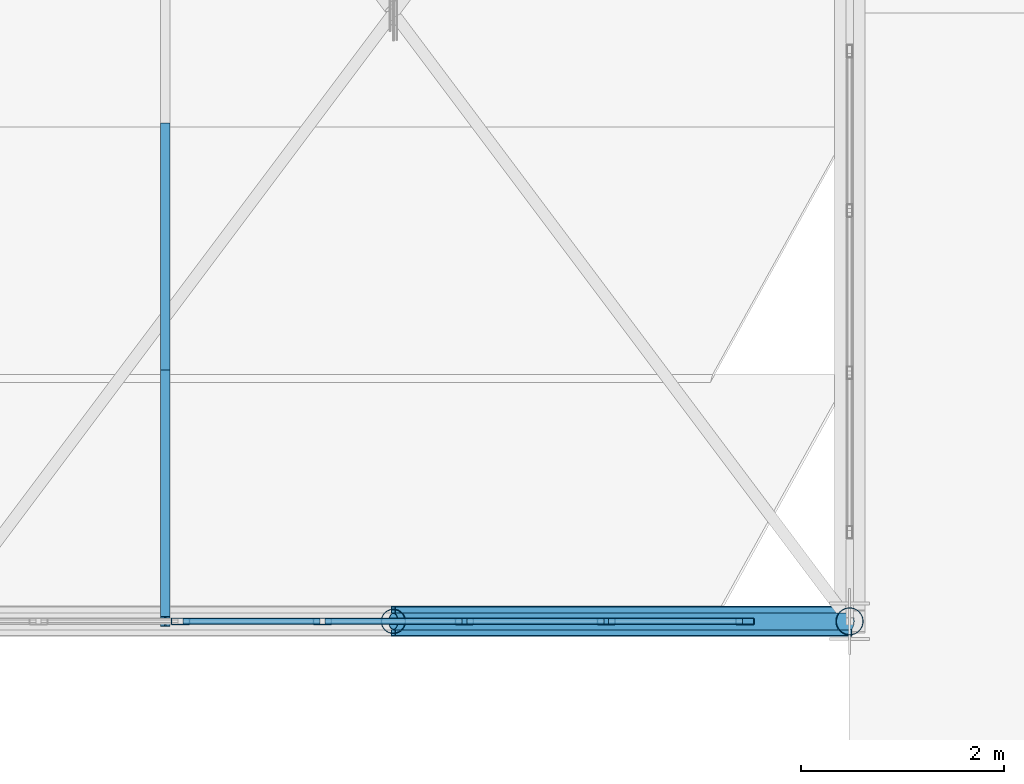
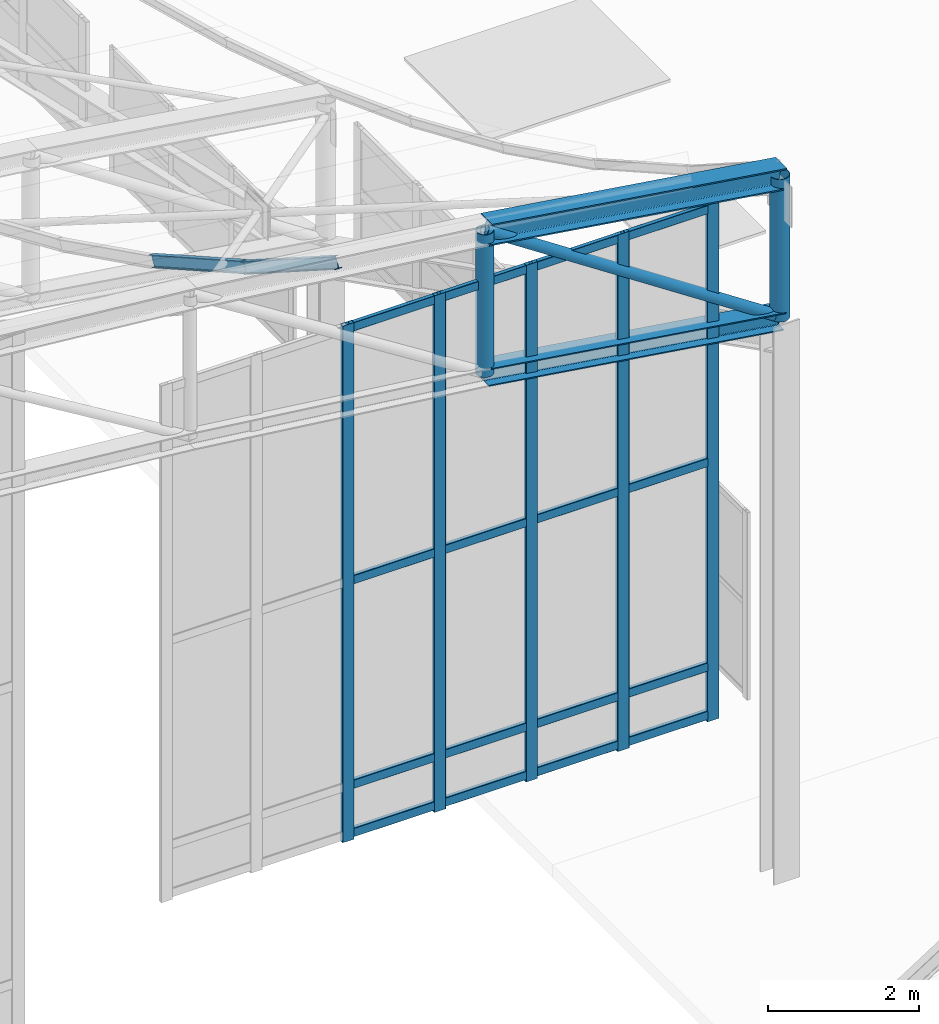
# One storey, part 68 of 262: 28 members, 1 element without a shape of its own.
"""IFC4 building model written with IfcOpenShell, lengths in metres."""

import ifcopenshell
import ifcopenshell.guid

model = None  # the IFC model being written
_history = None  # IfcOwnerHistory: only IFC2X3 demands one
_inside = {}  # id of a spatial element -> (the spatial element, [elements in it])
_under = {}  # id of a project, library or spatial element -> (it, [spatial elements below it])
_declared = {}  # id of a project -> (the project, [libraries it declares])
_typed = {}  # id of a type object -> (the type object, [elements of that type])
_made_of = {}  # id of a material, layer set ... -> (it, [elements and type objects made of it])


def new_model(schema):
    """Start an empty IFC model of exactly this schema.

    Asked for "IFC4X3", IfcOpenShell would pick the latest addendum, in which some entities
    have other attributes; the version numbers below select the first issue.
    IFC2X3 requires an IfcOwnerHistory on every rooted entity: one is made here for all.
    """
    global model, _history
    if schema == "IFC4X3":
        model = ifcopenshell.file(schema_version=(4, 3, 0, 0))
    else:
        model = ifcopenshell.file(schema=schema)
    _inside.clear()
    _under.clear()
    _declared.clear()
    _typed.clear()
    _made_of.clear()
    _history = None
    if model.schema == "IFC2X3":
        org = make("IfcOrganization", Name="unknown")
        user = make(
            "IfcPersonAndOrganization",
            ThePerson=make("IfcPerson", FamilyName="unknown"),
            TheOrganization=org,
        )
        app = make(
            "IfcApplication",
            ApplicationDeveloper=org,
            Version="unknown",
            ApplicationFullName="unknown",
            ApplicationIdentifier="unknown",
        )
        _history = make(
            "IfcOwnerHistory",
            OwningUser=user,
            OwningApplication=app,
            ChangeAction="ADDED",
            CreationDate=0,
        )
    return model


def make(cls, **values):
    """One entity of the class cls with the attributes given. An attribute that is None is left unset."""
    return model.create_entity(
        cls, **{name: value for name, value in values.items() if value is not None}
    )


def rooted(cls, **values):
    """An entity with a GlobalId (a new one), such as an element, a storey or a relation."""
    return make(cls, GlobalId=ifcopenshell.guid.new(), OwnerHistory=_history, **values)


def si_unit(unit_type, name, prefix=None):
    """IfcSIUnit, for example si_unit("LENGTHUNIT", "METRE", prefix="MILLI")."""
    return make("IfcSIUnit", UnitType=unit_type, Prefix=prefix, Name=name)


def derived_unit(unit_type, elements):
    """IfcDerivedUnit: a product of units, each with its exponent."""
    return make(
        "IfcDerivedUnit",
        Elements=[
            make("IfcDerivedUnitElement", Unit=unit, Exponent=power)
            for unit, power in elements
        ],
        UnitType=unit_type,
    )


def assignment(units):
    """IfcUnitAssignment: the units of a project."""
    return None if units is None else make("IfcUnitAssignment", Units=units)


def point(xyz):
    """IfcCartesianPoint."""
    return None if xyz is None else make("IfcCartesianPoint", Coordinates=xyz)


def direction(xyz):
    """IfcDirection."""
    return None if xyz is None else make("IfcDirection", DirectionRatios=xyz)


def frame(location, z_axis=None, x_axis=None):
    """IfcAxis2Placement3D, a coordinate frame: its origin and axes. An axis left out is left unset."""
    return make(
        "IfcAxis2Placement3D",
        Location=point(location),
        Axis=direction(z_axis),
        RefDirection=direction(x_axis),
    )


def frame_2d(location, x_axis=None):
    """IfcAxis2Placement2D, a coordinate frame in the plane: its origin and x axis."""
    return make(
        "IfcAxis2Placement2D", Location=point(location), RefDirection=direction(x_axis)
    )


def origin():
    """The frame at (0, 0, 0) with its axes left unset."""
    return frame((0.0, 0.0, 0.0))


def origin_2d():
    """The frame at (0, 0) in the plane with its x axis left unset."""
    return frame_2d((0.0, 0.0))


def place(relative_to, where):
    """IfcLocalPlacement: puts the frame where relative to a parent placement (None: the world)."""
    return make(
        "IfcLocalPlacement", PlacementRelTo=relative_to, RelativePlacement=where
    )


def context(
    kind, dimensions, precision=None, world=None, true_north=None, identifier=None
):
    """IfcGeometricRepresentationContext, for example the 3D "Model" context."""
    return make(
        "IfcGeometricRepresentationContext",
        ContextIdentifier=identifier,
        ContextType=kind,
        CoordinateSpaceDimension=dimensions,
        Precision=precision,
        WorldCoordinateSystem=world,
        TrueNorth=true_north,
    )


def subcontext(parent, identifier, kind, view, scale=None):
    """IfcGeometricRepresentationSubContext, for example "Body" below "Model"."""
    return make(
        "IfcGeometricRepresentationSubContext",
        ContextIdentifier=identifier,
        ContextType=kind,
        ParentContext=parent,
        TargetScale=scale,
        TargetView=view,
    )


def project(units=None, contexts=None):
    """IfcProject with its units and contexts."""
    return rooted(
        "IfcProject",
        Name="project",
        RepresentationContexts=contexts,
        UnitsInContext=assignment(units),
    )


def spatial(cls, under=None, at=None, **own):
    """A site, building, storey or space (cls), placed at a placement, below another one or the project."""
    s = rooted(cls, ObjectPlacement=at, **own)
    if under is not None:
        _under.setdefault(under.id(), (under, []))[1].append(s)
    return s


def profile(cls, at=None, kind="AREA", **sizes):
    """A parametric profile (cls). Its sizes go by their IFC names, for example OverallWidth=200.0."""
    return make(cls, ProfileType=kind, Position=at, **sizes)


def hollow_rectangle(**sizes):
    """IfcRectangleHollowProfileDef."""
    return profile("IfcRectangleHollowProfileDef", **sizes)


def hollow_circle(**sizes):
    """IfcCircleHollowProfileDef."""
    return profile("IfcCircleHollowProfileDef", **sizes)


def i_section(**sizes):
    """IfcIShapeProfileDef."""
    return profile("IfcIShapeProfileDef", **sizes)


def extrude(swept, where, along, depth):
    """IfcExtrudedAreaSolid: the profile swept, set in the frame where, extruded along a direction by depth."""
    return make(
        "IfcExtrudedAreaSolid",
        SweptArea=swept,
        Position=where,
        ExtrudedDirection=direction(along),
        Depth=depth,
    )


def shape(context_of_items, identifier, shape_type, items):
    """IfcShapeRepresentation: the items that make up one representation, for example the "Body"."""
    return make(
        "IfcShapeRepresentation",
        ContextOfItems=context_of_items,
        RepresentationIdentifier=identifier,
        RepresentationType=shape_type,
        Items=items,
    )


def material(Name=None, Category=None):
    """IfcMaterial."""
    return make("IfcMaterial", Name=Name, Category=Category)


def layer(
    of_material, thickness, ventilated=None, Name=None, Category=None, Priority=None
):
    """IfcMaterialLayer: one layer of a wall or slab, of a material (None: an air gap)."""
    return make(
        "IfcMaterialLayer",
        Material=of_material,
        LayerThickness=thickness,
        IsVentilated=ventilated,
        Name=Name,
        Category=Category,
        Priority=Priority,
    )


def layer_set(layers, Name=None):
    """IfcMaterialLayerSet."""
    return make("IfcMaterialLayerSet", MaterialLayers=layers, LayerSetName=Name)


def material_profile(
    of_material, cross_section, Name=None, Category=None, Priority=None
):
    """IfcMaterialProfile: a cross section and its material."""
    return make(
        "IfcMaterialProfile",
        Name=Name,
        Material=of_material,
        Profile=cross_section,
        Priority=Priority,
        Category=Category,
    )


def profile_set(profiles, Name=None, composite=None):
    """IfcMaterialProfileSet."""
    return make(
        "IfcMaterialProfileSet",
        Name=Name,
        MaterialProfiles=profiles,
        CompositeProfile=composite,
    )


def made_of(thing, what):
    """Note that an element or type object is made of a material, layer set ...; save() writes the relation."""
    if what is not None:
        _made_of.setdefault(what.id(), (what, []))[1].append(thing)
    return thing


def type_object(cls, material=None, **own):
    """A type object (cls), such as IfcWallType, which elements share."""
    return made_of(rooted(cls, **own), material)


def element(
    cls,
    number,
    at=None,
    inside=None,
    cuts=None,
    type_object=None,
    material=None,
    context=None,
    identifier="Body",
    shape_type=None,
    held_by="IfcProductDefinitionShape",
    body=None,
    shapes=None,
    **own,
):
    """One element of the class cls, such as IfcWall. Its Tag is "e" and its number.

    at: its placement. inside: the storey or other place that contains it. cuts: it is an
    opening in that element (IfcRelVoidsElement). A single representation is given by context,
    identifier, shape_type and body (its items); several are given by shapes. held_by: the class
    of the entity that holds the representations. save() writes the other relations.
    """
    e = rooted(cls, Tag="e%d" % number, ObjectPlacement=at, **own)
    if body is not None:
        shapes = [shape(context, identifier, shape_type, body)]
    if shapes is not None:
        e.Representation = make(held_by, Representations=shapes)
    if inside is not None:
        _inside.setdefault(inside.id(), (inside, []))[1].append(e)
    if cuts is not None:
        rooted(
            "IfcRelVoidsElement", RelatingBuildingElement=cuts, RelatedOpeningElement=e
        )
    if type_object is not None:
        _typed.setdefault(type_object.id(), (type_object, []))[1].append(e)
    return made_of(e, material)


def aggregate(whole, parts):
    """IfcRelAggregates: a whole, such as a stair, and the parts it consists of."""
    return rooted("IfcRelAggregates", RelatingObject=whole, RelatedObjects=parts)


def save(model, path):
    """Write the relations noted so far, then the file.

    IfcRelAggregates (storeys below a building ...), IfcRelContainedInSpatialStructure (elements
    in a storey), IfcRelDefinesByType, IfcRelAssociatesMaterial and IfcRelDeclares: one each for
    every whole, place, type object, material and project.
    """
    for whole, parts in _under.values():
        aggregate(whole, parts)
    for where, things in _inside.values():
        rooted(
            "IfcRelContainedInSpatialStructure",
            RelatedElements=things,
            RelatingStructure=where,
        )
    for kind, things in _typed.values():
        rooted("IfcRelDefinesByType", RelatedObjects=things, RelatingType=kind)
    for what, things in _made_of.values():
        rooted("IfcRelAssociatesMaterial", RelatedObjects=things, RelatingMaterial=what)
    for by, libraries in _declared.values():
        rooted("IfcRelDeclares", RelatingContext=by, RelatedDefinitions=libraries)
    model.write(path)


model = new_model("IFC4")

# Units and contexts
model_context = context("Model", 3, precision=1e-05, world=origin(), true_north=direction((0.0, 1.0)))
body_context = subcontext(model_context, "Body", "Model", "MODEL_VIEW")
ifc_project = project(units=[si_unit("LENGTHUNIT", "METRE"), si_unit("AREAUNIT", "SQUARE_METRE"), si_unit("VOLUMEUNIT", "CUBIC_METRE"), si_unit("PLANEANGLEUNIT", "RADIAN"), si_unit("MASSUNIT", "GRAM", prefix="KILO"), derived_unit("THERMALTRANSMITTANCEUNIT", [(si_unit("POWERUNIT", "WATT"), 1), (si_unit("LENGTHUNIT", "METRE"), -2), (si_unit("THERMODYNAMICTEMPERATUREUNIT", "KELVIN"), -1)])], contexts=[model_context])

# Site, building, storey
site_placement = place(None, origin())
site = spatial("IfcSite", under=ifc_project, at=site_placement, CompositionType="ELEMENT")
building_placement = place(site_placement, origin())
building = spatial("IfcBuilding", under=site, at=building_placement, Name="Almenara Railside Exhibition Hall", CompositionType="ELEMENT")
storey_placement = place(building_placement, frame((0.0, 0.0, 21.699951171875)))
storey = spatial("IfcBuildingStorey", under=building, at=storey_placement, Name="RF", CompositionType="ELEMENT", Elevation=21.699951171875)

# Members
ifc_material_1 = material(Name="Structural steel S355JR", Category="steel")
ifc_material_profile_1 = material_profile(ifc_material_1, i_section(OverallWidth=0.280029296875, OverallDepth=0.280029296875, WebThickness=0.010498046875, FlangeThickness=0.01806640625, FilletRadius=0.02392578125, at=origin_2d()), Name="HEB 280")
ifc_profile_set_1 = profile_set([ifc_material_profile_1], Name="Structural steel S355JR")
member_type_1 = type_object("IfcMemberType", Name="Arched Gable Bottom Chord HEB 280 S355JR", PredefinedType="CHORD", material=ifc_profile_set_1)
member_1_placement = place(storey_placement, frame((61.5, 48.0, 7.272216796875), z_axis=(0.9890290442, 0.0, -0.147721189165), x_axis=(0.0, 1.0, 0.0)))
element("IfcMember", 1, at=member_1_placement, inside=storey, type_object=member_type_1, Name="MEM-BC-V1-00-11", PredefinedType="CHORD", context=body_context, shape_type="SweptSolid", body=[
    extrude(i_section(OverallWidth=0.280029296875, OverallDepth=0.280029296875, WebThickness=0.010498046875, FlangeThickness=0.01806640625, FilletRadius=0.02392578125, at=origin_2d()), origin(), (0.0, 0.0, 1.0), 4.5498046875),
])
ifc_material_profile_2 = material_profile(ifc_material_1, i_section(OverallWidth=0.300048828125, OverallDepth=0.340087890625, WebThickness=0.011962890625, FlangeThickness=0.021484375, FilletRadius=0.027099609375, at=origin_2d()), Name="HEB 340")
ifc_profile_set_2 = profile_set([ifc_material_profile_2], Name="Structural steel S355JR")
member_type_2 = type_object("IfcMemberType", Name="Arched Gable Top Chord HEB 340 S355JR", PredefinedType="CHORD", material=ifc_profile_set_2)
member_2_placement = place(storey_placement, frame((61.5, 48.0, 9.572265625), z_axis=(0.9890290442, 0.0, -0.147721189165), x_axis=(0.0, 1.0, 0.0)))
element("IfcMember", 2, at=member_2_placement, inside=storey, type_object=member_type_2, Name="MEM-TC-V1-00-11", PredefinedType="CHORD", context=body_context, shape_type="SweptSolid", body=[
    extrude(i_section(OverallWidth=0.300048828125, OverallDepth=0.340087890625, WebThickness=0.011962890625, FlangeThickness=0.021484375, FilletRadius=0.027099609375, at=origin_2d()), origin(), (0.0, 0.0, 1.0), 4.5498046875),
])

# Curtain wall, members
ifc_material_2 = material(Name="Bronze-anodised aluminium and low-E double glazing", Category="aluminium")
ifc_layer = layer(ifc_material_2, 0.179931640625, Name="Bronze-anodised aluminium and low-E double glazing")
ifc_layer_set = layer_set([ifc_layer], Name="Bronze-anodised aluminium and low-E double glazing")
curtain_wall_type = type_object("IfcCurtainWallType", Name="Scroll Gable Tall Curtain Wall 3800x5400", PredefinedType="NOTDEFINED", material=ifc_layer_set)
curtain_wall_placement = place(storey_placement, origin())
curtain_wall = element("IfcCurtainWall", 3, at=curtain_wall_placement, inside=storey, type_object=curtain_wall_type, Name="Curtain wall CW-G1-197", PredefinedType="NOTDEFINED")
ifc_material_3 = material(Name="Bronze-anodised aluminium", Category="aluminium")
ifc_material_profile_3 = material_profile(ifc_material_3, hollow_rectangle(XDim=0.06494140625, YDim=0.179931640625, WallThickness=0.00390625, InnerFilletRadius=0.00390625, OuterFilletRadius=0.008056640625, at=origin_2d()), Name="ALU-MUL 65x180x4")
ifc_profile_set_3 = profile_set([ifc_material_profile_3], Name="Bronze-anodised aluminium")
member_type_3 = type_object("IfcMemberType", Name="Curtain Wall Mullion 65x180x4", PredefinedType="MULLION", material=ifc_profile_set_3)
member_3_placement = place(storey_placement, frame((59.39990234375, 48.0, 0.465087890625), z_axis=(0.0, 0.0, 1.0), x_axis=(0.0, 1.0, 0.0)))
member_3 = element("IfcMember", 4, at=member_3_placement, type_object=member_type_3, Name="CW-G1-197 mullion 3", PredefinedType="MULLION", context=body_context, shape_type="SweptSolid", body=[
    extrude(hollow_rectangle(XDim=0.06494140625, YDim=0.179931640625, WallThickness=0.00390625, InnerFilletRadius=0.00390625, OuterFilletRadius=0.008056640625, at=origin_2d()), origin(), (0.0, 0.0, 1.0), 8.3349609375),
])
member_4_placement = place(storey_placement, frame((60.800048828125, 48.0, 0.465087890625), z_axis=(0.0, 0.0, 1.0), x_axis=(0.0, 1.0, 0.0)))
member_4 = element("IfcMember", 5, at=member_4_placement, type_object=member_type_3, Name="CW-G1-197 mullion 4", PredefinedType="MULLION", context=body_context, shape_type="SweptSolid", body=[
    extrude(hollow_rectangle(XDim=0.06494140625, YDim=0.179931640625, WallThickness=0.00390625, InnerFilletRadius=0.00390625, OuterFilletRadius=0.008056640625, at=origin_2d()), origin(), (0.0, 0.0, 1.0), 8.3349609375),
])
member_5_placement = place(storey_placement, frame((62.199951171875, 48.0, 0.465087890625), z_axis=(0.0, 0.0, 1.0), x_axis=(0.0, 1.0, 0.0)))
member_5 = element("IfcMember", 6, at=member_5_placement, type_object=member_type_3, Name="CW-G1-197 mullion 5", PredefinedType="MULLION", context=body_context, shape_type="SweptSolid", body=[
    extrude(hollow_rectangle(XDim=0.06494140625, YDim=0.179931640625, WallThickness=0.00390625, InnerFilletRadius=0.00390625, OuterFilletRadius=0.008056640625, at=origin_2d()), origin(), (0.0, 0.0, 1.0), 8.3349609375),
])
member_6_placement = place(storey_placement, frame((63.60009765625, 48.0, 0.465087890625), z_axis=(0.0, 0.0, 1.0), x_axis=(0.0, 1.0, 0.0)))
member_6 = element("IfcMember", 7, at=member_6_placement, type_object=member_type_3, Name="CW-G1-197 mullion 6", PredefinedType="MULLION", context=body_context, shape_type="SweptSolid", body=[
    extrude(hollow_rectangle(XDim=0.06494140625, YDim=0.179931640625, WallThickness=0.00390625, InnerFilletRadius=0.00390625, OuterFilletRadius=0.008056640625, at=origin_2d()), origin(), (0.0, 0.0, 1.0), 8.3349609375),
])
member_7_placement = place(storey_placement, frame((64.967529296875, 48.0, 0.465087890625), z_axis=(0.0, 0.0, 1.0), x_axis=(0.0, 1.0, 0.0)))
member_7 = element("IfcMember", 8, at=member_7_placement, type_object=member_type_3, Name="CW-G1-197 mullion 7", PredefinedType="MULLION", context=body_context, shape_type="SweptSolid", body=[
    extrude(hollow_rectangle(XDim=0.06494140625, YDim=0.179931640625, WallThickness=0.00390625, InnerFilletRadius=0.00390625, OuterFilletRadius=0.008056640625, at=origin_2d()), origin(), (0.0, 0.0, 1.0), 8.3349609375),
])
ifc_material_profile_4 = material_profile(ifc_material_3, hollow_rectangle(XDim=0.06494140625, YDim=0.139892578125, WallThickness=0.00341796875, InnerFilletRadius=0.00341796875, OuterFilletRadius=0.007080078125, at=origin_2d()), Name="ALU-TRN 65x140x3.5")
ifc_profile_set_4 = profile_set([ifc_material_profile_4], Name="Bronze-anodised aluminium")
member_type_4 = type_object("IfcMemberType", Name="Curtain Wall Transom 65x140x3.5", PredefinedType="USERDEFINED", material=ifc_profile_set_4)
member_8_placement = place(storey_placement, frame((59.424560546875, 48.0, 0.570068359375), z_axis=(1.0, 0.0, 0.0), x_axis=(0.0, 1.0, 0.0)))
member_8 = element("IfcMember", 9, at=member_8_placement, type_object=member_type_4, Name="CW-G1-197 transom 3.1", ObjectType="TRANSOM", PredefinedType="USERDEFINED", context=body_context, shape_type="SweptSolid", body=[
    extrude(hollow_rectangle(XDim=0.06494140625, YDim=0.139892578125, WallThickness=0.00341796875, InnerFilletRadius=0.00341796875, OuterFilletRadius=0.007080078125, at=origin_2d()), origin(), (0.0, 0.0, 1.0), 1.350830078125),
])
member_9_placement = place(storey_placement, frame((59.424560546875, 48.0, 1.35009765625), z_axis=(1.0, 0.0, 0.0), x_axis=(0.0, 1.0, 0.0)))
member_9 = element("IfcMember", 10, at=member_9_placement, type_object=member_type_4, Name="CW-G1-197 transom 3.2", ObjectType="TRANSOM", PredefinedType="USERDEFINED", context=body_context, shape_type="SweptSolid", body=[
    extrude(hollow_rectangle(XDim=0.06494140625, YDim=0.139892578125, WallThickness=0.00341796875, InnerFilletRadius=0.00341796875, OuterFilletRadius=0.007080078125, at=origin_2d()), origin(), (0.0, 0.0, 1.0), 1.350830078125),
])
member_10_placement = place(storey_placement, frame((59.424560546875, 48.0, 4.650146484375), z_axis=(1.0, 0.0, 0.0), x_axis=(0.0, 1.0, 0.0)))
member_10 = element("IfcMember", 11, at=member_10_placement, type_object=member_type_4, Name="CW-G1-197 transom 3.3", ObjectType="TRANSOM", PredefinedType="USERDEFINED", context=body_context, shape_type="SweptSolid", body=[
    extrude(hollow_rectangle(XDim=0.06494140625, YDim=0.139892578125, WallThickness=0.00341796875, InnerFilletRadius=0.00341796875, OuterFilletRadius=0.007080078125, at=origin_2d()), origin(), (0.0, 0.0, 1.0), 1.350830078125),
])
member_11_placement = place(storey_placement, frame((59.424560546875, 48.0, 8.72998046875), z_axis=(1.0, 0.0, 0.0), x_axis=(0.0, 1.0, 0.0)))
member_11 = element("IfcMember", 12, at=member_11_placement, type_object=member_type_4, Name="CW-G1-197 transom 3.4", ObjectType="TRANSOM", PredefinedType="USERDEFINED", context=body_context, shape_type="SweptSolid", body=[
    extrude(hollow_rectangle(XDim=0.06494140625, YDim=0.139892578125, WallThickness=0.00341796875, InnerFilletRadius=0.00341796875, OuterFilletRadius=0.007080078125, at=origin_2d()), origin(), (0.0, 0.0, 1.0), 1.350830078125),
])
member_12_placement = place(storey_placement, frame((60.824462890625, 48.0, 0.570068359375), z_axis=(1.0, 0.0, 0.0), x_axis=(0.0, 1.0, 0.0)))
member_12 = element("IfcMember", 13, at=member_12_placement, type_object=member_type_4, Name="CW-G1-197 transom 4.1", ObjectType="TRANSOM", PredefinedType="USERDEFINED", context=body_context, shape_type="SweptSolid", body=[
    extrude(hollow_rectangle(XDim=0.06494140625, YDim=0.139892578125, WallThickness=0.00341796875, InnerFilletRadius=0.00341796875, OuterFilletRadius=0.007080078125, at=origin_2d()), origin(), (0.0, 0.0, 1.0), 1.35107421875),
])
member_13_placement = place(storey_placement, frame((60.824462890625, 48.0, 1.35009765625), z_axis=(1.0, 0.0, 0.0), x_axis=(0.0, 1.0, 0.0)))
member_13 = element("IfcMember", 14, at=member_13_placement, type_object=member_type_4, Name="CW-G1-197 transom 4.2", ObjectType="TRANSOM", PredefinedType="USERDEFINED", context=body_context, shape_type="SweptSolid", body=[
    extrude(hollow_rectangle(XDim=0.06494140625, YDim=0.139892578125, WallThickness=0.00341796875, InnerFilletRadius=0.00341796875, OuterFilletRadius=0.007080078125, at=origin_2d()), origin(), (0.0, 0.0, 1.0), 1.35107421875),
])
member_14_placement = place(storey_placement, frame((60.824462890625, 48.0, 4.650146484375), z_axis=(1.0, 0.0, 0.0), x_axis=(0.0, 1.0, 0.0)))
member_14 = element("IfcMember", 15, at=member_14_placement, type_object=member_type_4, Name="CW-G1-197 transom 4.3", ObjectType="TRANSOM", PredefinedType="USERDEFINED", context=body_context, shape_type="SweptSolid", body=[
    extrude(hollow_rectangle(XDim=0.06494140625, YDim=0.139892578125, WallThickness=0.00341796875, InnerFilletRadius=0.00341796875, OuterFilletRadius=0.007080078125, at=origin_2d()), origin(), (0.0, 0.0, 1.0), 1.35107421875),
])
member_15_placement = place(storey_placement, frame((60.824462890625, 48.0, 8.72998046875), z_axis=(1.0, 0.0, 0.0), x_axis=(0.0, 1.0, 0.0)))
member_15 = element("IfcMember", 16, at=member_15_placement, type_object=member_type_4, Name="CW-G1-197 transom 4.4", ObjectType="TRANSOM", PredefinedType="USERDEFINED", context=body_context, shape_type="SweptSolid", body=[
    extrude(hollow_rectangle(XDim=0.06494140625, YDim=0.139892578125, WallThickness=0.00341796875, InnerFilletRadius=0.00341796875, OuterFilletRadius=0.007080078125, at=origin_2d()), origin(), (0.0, 0.0, 1.0), 1.35107421875),
])
member_16_placement = place(storey_placement, frame((62.224609375, 48.0, 0.570068359375), z_axis=(1.0, 0.0, 0.0), x_axis=(0.0, 1.0, 0.0)))
member_16 = element("IfcMember", 17, at=member_16_placement, type_object=member_type_4, Name="CW-G1-197 transom 5.1", ObjectType="TRANSOM", PredefinedType="USERDEFINED", context=body_context, shape_type="SweptSolid", body=[
    extrude(hollow_rectangle(XDim=0.06494140625, YDim=0.139892578125, WallThickness=0.00341796875, InnerFilletRadius=0.00341796875, OuterFilletRadius=0.007080078125, at=origin_2d()), origin(), (0.0, 0.0, 1.0), 1.350830078125),
])
member_17_placement = place(storey_placement, frame((62.224609375, 48.0, 1.35009765625), z_axis=(1.0, 0.0, 0.0), x_axis=(0.0, 1.0, 0.0)))
member_17 = element("IfcMember", 18, at=member_17_placement, type_object=member_type_4, Name="CW-G1-197 transom 5.2", ObjectType="TRANSOM", PredefinedType="USERDEFINED", context=body_context, shape_type="SweptSolid", body=[
    extrude(hollow_rectangle(XDim=0.06494140625, YDim=0.139892578125, WallThickness=0.00341796875, InnerFilletRadius=0.00341796875, OuterFilletRadius=0.007080078125, at=origin_2d()), origin(), (0.0, 0.0, 1.0), 1.350830078125),
])
member_18_placement = place(storey_placement, frame((62.224609375, 48.0, 4.650146484375), z_axis=(1.0, 0.0, 0.0), x_axis=(0.0, 1.0, 0.0)))
member_18 = element("IfcMember", 19, at=member_18_placement, type_object=member_type_4, Name="CW-G1-197 transom 5.3", ObjectType="TRANSOM", PredefinedType="USERDEFINED", context=body_context, shape_type="SweptSolid", body=[
    extrude(hollow_rectangle(XDim=0.06494140625, YDim=0.139892578125, WallThickness=0.00341796875, InnerFilletRadius=0.00341796875, OuterFilletRadius=0.007080078125, at=origin_2d()), origin(), (0.0, 0.0, 1.0), 1.350830078125),
])
member_19_placement = place(storey_placement, frame((62.224609375, 48.0, 8.72998046875), z_axis=(1.0, 0.0, 0.0), x_axis=(0.0, 1.0, 0.0)))
member_19 = element("IfcMember", 20, at=member_19_placement, type_object=member_type_4, Name="CW-G1-197 transom 5.4", ObjectType="TRANSOM", PredefinedType="USERDEFINED", context=body_context, shape_type="SweptSolid", body=[
    extrude(hollow_rectangle(XDim=0.06494140625, YDim=0.139892578125, WallThickness=0.00341796875, InnerFilletRadius=0.00341796875, OuterFilletRadius=0.007080078125, at=origin_2d()), origin(), (0.0, 0.0, 1.0), 1.350830078125),
])
member_20_placement = place(storey_placement, frame((63.62451171875, 48.0, 0.570068359375), z_axis=(1.0, 0.0, 0.0), x_axis=(0.0, 1.0, 0.0)))
member_20 = element("IfcMember", 21, at=member_20_placement, type_object=member_type_4, Name="CW-G1-197 transom 6.1", ObjectType="TRANSOM", PredefinedType="USERDEFINED", context=body_context, shape_type="SweptSolid", body=[
    extrude(hollow_rectangle(XDim=0.06494140625, YDim=0.139892578125, WallThickness=0.00341796875, InnerFilletRadius=0.00341796875, OuterFilletRadius=0.007080078125, at=origin_2d()), origin(), (0.0, 0.0, 1.0), 1.318603515625),
])
member_21_placement = place(storey_placement, frame((63.62451171875, 48.0, 1.35009765625), z_axis=(1.0, 0.0, 0.0), x_axis=(0.0, 1.0, 0.0)))
member_21 = element("IfcMember", 22, at=member_21_placement, type_object=member_type_4, Name="CW-G1-197 transom 6.2", ObjectType="TRANSOM", PredefinedType="USERDEFINED", context=body_context, shape_type="SweptSolid", body=[
    extrude(hollow_rectangle(XDim=0.06494140625, YDim=0.139892578125, WallThickness=0.00341796875, InnerFilletRadius=0.00341796875, OuterFilletRadius=0.007080078125, at=origin_2d()), origin(), (0.0, 0.0, 1.0), 1.318603515625),
])
member_22_placement = place(storey_placement, frame((63.62451171875, 48.0, 4.650146484375), z_axis=(1.0, 0.0, 0.0), x_axis=(0.0, 1.0, 0.0)))
member_22 = element("IfcMember", 23, at=member_22_placement, type_object=member_type_4, Name="CW-G1-197 transom 6.3", ObjectType="TRANSOM", PredefinedType="USERDEFINED", context=body_context, shape_type="SweptSolid", body=[
    extrude(hollow_rectangle(XDim=0.06494140625, YDim=0.139892578125, WallThickness=0.00341796875, InnerFilletRadius=0.00341796875, OuterFilletRadius=0.007080078125, at=origin_2d()), origin(), (0.0, 0.0, 1.0), 1.318603515625),
])
member_23_placement = place(storey_placement, frame((63.62451171875, 48.0, 8.72998046875), z_axis=(1.0, 0.0, 0.0), x_axis=(0.0, 1.0, 0.0)))
member_23 = element("IfcMember", 24, at=member_23_placement, type_object=member_type_4, Name="CW-G1-197 transom 6.4", ObjectType="TRANSOM", PredefinedType="USERDEFINED", context=body_context, shape_type="SweptSolid", body=[
    extrude(hollow_rectangle(XDim=0.06494140625, YDim=0.139892578125, WallThickness=0.00341796875, InnerFilletRadius=0.00341796875, OuterFilletRadius=0.007080078125, at=origin_2d()), origin(), (0.0, 0.0, 1.0), 1.318603515625),
])
aggregate(curtain_wall, [member_3, member_4, member_5, member_6, member_7, member_8, member_9, member_10, member_11, member_12, member_13, member_14, member_15, member_16, member_17, member_18, member_19, member_20, member_21, member_22, member_23])

# Members
ifc_material_profile_5 = material_profile(ifc_material_1, i_section(OverallWidth=0.091064453125, OverallDepth=0.179931640625, WebThickness=0.00537109375, FlangeThickness=0.008056640625, FilletRadius=0.009033203125, at=origin_2d()), Name="IPE 180")
ifc_profile_set_5 = profile_set([ifc_material_profile_5], Name="Structural steel S355JR")
member_type_5 = type_object("IfcMemberType", Name="Plenary Roof Purlin IPE 180 S355JR", PredefinedType="PURLIN", material=ifc_profile_set_5)
member_24_placement = place(storey_placement, frame((59.25, 48.0, 9.8359375), z_axis=(0.0, 0.842265270347, -0.53906327492), x_axis=(-1.0, 0.0, 0.0)))
element("IfcMember", 25, at=member_24_placement, inside=storey, type_object=member_type_5, Name="MEM-PR-V1-PR-IPE180-07-00", PredefinedType="PURLIN", context=body_context, shape_type="SweptSolid", body=[
    extrude(i_section(OverallWidth=0.091064453125, OverallDepth=0.179931640625, WebThickness=0.00537109375, FlangeThickness=0.008056640625, FilletRadius=0.009033203125, at=origin_2d()), origin(), (0.0, 0.0, 1.0), 2.89306640625),
])
member_25_placement = place(storey_placement, frame((59.25, 50.436767578125, 8.286865234375), z_axis=(0.0, 0.870445855666, -0.492264169277), x_axis=(-1.0, 0.0, 0.0)))
element("IfcMember", 26, at=member_25_placement, inside=storey, type_object=member_type_5, Name="MEM-PR-V1-PR-IPE180-07-01", PredefinedType="PURLIN", context=body_context, shape_type="SweptSolid", body=[
    extrude(i_section(OverallWidth=0.091064453125, OverallDepth=0.179931640625, WebThickness=0.00537109375, FlangeThickness=0.008056640625, FilletRadius=0.009033203125, at=origin_2d()), origin(), (0.0, 0.0, 1.0), 2.799072265625),
])
ifc_material_profile_6 = material_profile(ifc_material_1, hollow_circle(Radius=0.084228515625, WallThickness=0.006103515625, at=origin_2d()), Name="CHS 168.3x6")
ifc_profile_set_6 = profile_set([ifc_material_profile_6], Name="Structural steel S355JR")
member_type_6 = type_object("IfcMemberType", Name="Truss End Diagonal CHS 168.3x6 S355JR", PredefinedType="BRACE", material=ifc_profile_set_6)
member_26_placement = place(storey_placement, frame((61.5, 48.0, 9.572265625), z_axis=(0.834424544227, 0.0, -0.551122200598), x_axis=(0.0, 1.0, 0.0)))
element("IfcMember", 27, at=member_26_placement, inside=storey, type_object=member_type_6, Name="MEM-TD-V1-00-11", PredefinedType="BRACE", context=body_context, shape_type="SweptSolid", body=[
    extrude(hollow_circle(Radius=0.084228515625, WallThickness=0.006103515625, at=origin_2d()), origin(), (0.0, 0.0, 1.0), 5.392822265625),
])
ifc_material_profile_7 = material_profile(ifc_material_1, hollow_circle(Radius=0.122314453125, WallThickness=0.008056640625, at=origin_2d()), Name="CHS 244.5x8")
ifc_profile_set_7 = profile_set([ifc_material_profile_7], Name="Structural steel S355JR")
member_type_7 = type_object("IfcMemberType", Name="Truss Haunch Vertical Strut CHS 244.5x8 S355JR", PredefinedType="BRACE", material=ifc_profile_set_7)
member_27_placement = place(storey_placement, frame((61.5, 48.0, 7.272216796875), z_axis=(0.0, 0.0, 1.0), x_axis=(1.0, 0.0, 0.0)))
element("IfcMember", 28, at=member_27_placement, inside=storey, type_object=member_type_7, Name="MEM-TV-V1-00-11", PredefinedType="BRACE", context=body_context, shape_type="SweptSolid", body=[
    extrude(hollow_circle(Radius=0.122314453125, WallThickness=0.008056640625, at=origin_2d()), origin(), (0.0, 0.0, 1.0), 2.300048828125),
])
ifc_material_profile_8 = material_profile(ifc_material_1, hollow_circle(Radius=0.136474609375, WallThickness=0.008056640625, at=origin_2d()), Name="CHS 273x8")
ifc_profile_set_8 = profile_set([ifc_material_profile_8], Name="Structural steel S355JR")
member_type_8 = type_object("IfcMemberType", Name="Truss Support Vertical Strut CHS 273x8 S355JR", PredefinedType="BRACE", material=ifc_profile_set_8)
member_28_placement = place(storey_placement, frame((66.0, 48.0, 6.60009765625), z_axis=(0.0, 0.0, 1.0), x_axis=(1.0, 0.0, 0.0)))
element("IfcMember", 29, at=member_28_placement, inside=storey, type_object=member_type_8, Name="MEM-TV-V1-00-12", PredefinedType="BRACE", context=body_context, shape_type="SweptSolid", body=[
    extrude(hollow_circle(Radius=0.136474609375, WallThickness=0.008056640625, at=origin_2d()), origin(), (0.0, 0.0, 1.0), 2.300048828125),
])

save(model, "model.ifc")
